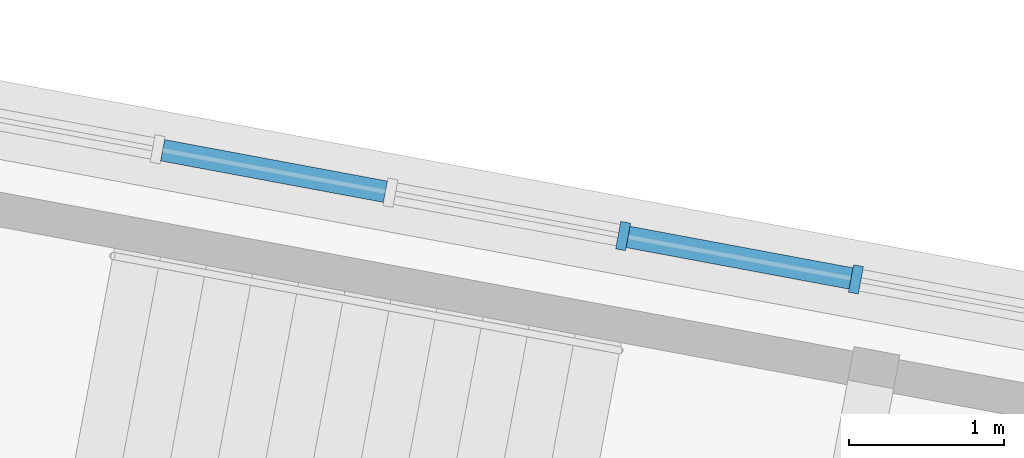
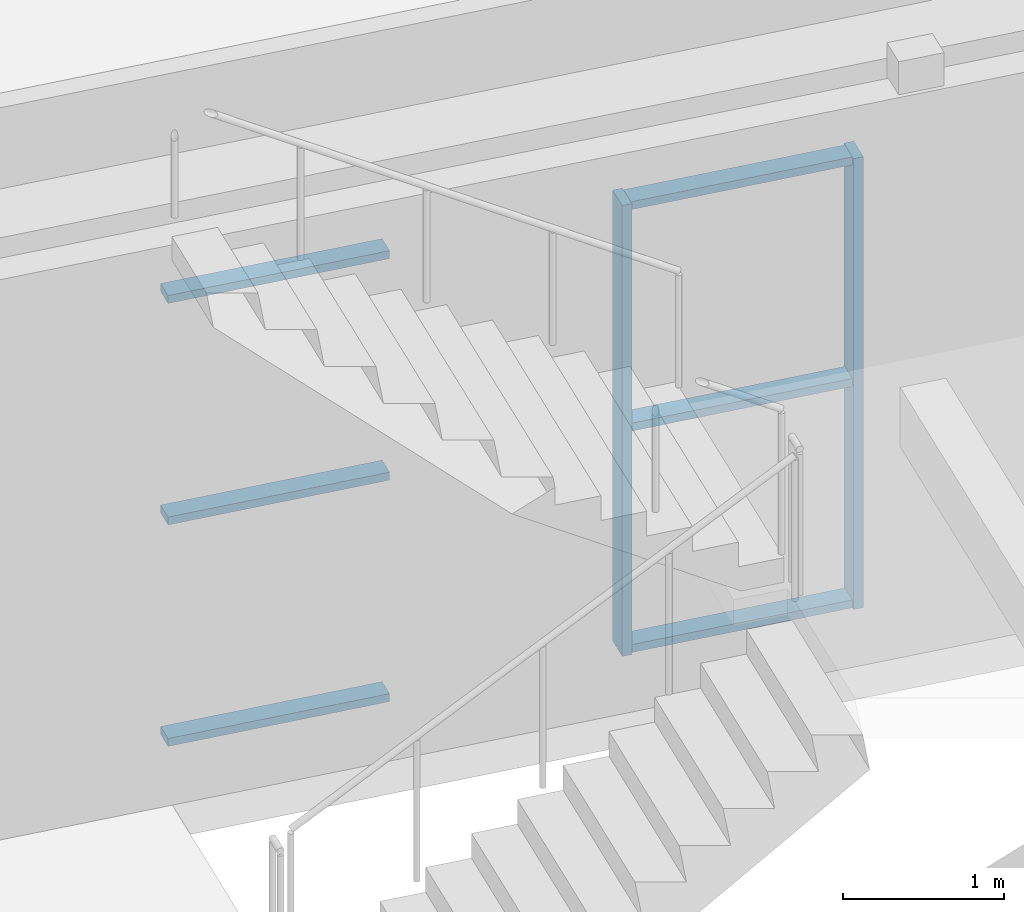
# One storey, part 62 of 141: 8 members, 1 element without a shape of its own.
"""IFC4 building model written with IfcOpenShell, lengths in metres."""

from ifc_helpers import new_model, si_unit, direction, frame, origin, origin_2d, place, context, subcontext, project, spatial, rectangle, extrude, material, layer, layer_set, material_profile, profile_set, type_object, element, aggregate, save


model = new_model("IFC4")

# Units and contexts
model_context = context("Model", 3, precision=1e-05, world=origin(), true_north=direction((0.0, 1.0)))
body_context = subcontext(model_context, "Body", "Model", "MODEL_VIEW")
ifc_project = project(units=[si_unit("LENGTHUNIT", "METRE"), si_unit("AREAUNIT", "SQUARE_METRE"), si_unit("VOLUMEUNIT", "CUBIC_METRE"), si_unit("PLANEANGLEUNIT", "RADIAN"), si_unit("MASSUNIT", "GRAM", prefix="KILO")], contexts=[model_context])

# Site, building, storey
site_placement = place(None, origin())
site = spatial("IfcSite", under=ifc_project, at=site_placement, CompositionType="ELEMENT")
building_placement = place(site_placement, origin())
building = spatial("IfcBuilding", under=site, at=building_placement, Name="Mphavela Belvedere Stadium", CompositionType="ELEMENT")
storey_placement = place(building_placement, frame((0.0, 0.0, 14.699951171875)))
storey = spatial("IfcBuildingStorey", under=building, at=storey_placement, Name="L03", CompositionType="ELEMENT", Elevation=14.699951171875)

# Curtain wall, members
ifc_material_1 = material(Name="Anodised bronze unitised curtain wall framing")
ifc_layer = layer(ifc_material_1, 0.18505859375)
ifc_layer_set = layer_set([ifc_layer], Name="Anodised bronze unitised curtain wall framing")
curtain_wall_type = type_object("IfcCurtainWallType", Name="CW-UNIT-02", PredefinedType="USERDEFINED", material=ifc_layer_set)
curtain_wall_placement = place(storey_placement, origin())
curtain_wall = element("IfcCurtainWall", 1, at=curtain_wall_placement, inside=storey, type_object=curtain_wall_type, Name="Belvedere colonnade curtain wall L03-10", ObjectType="UNITISED CURTAIN WALL", PredefinedType="USERDEFINED")
ifc_material_2 = material(Name="Anodised bronze extruded aluminium", Category="aluminium")
ifc_material_profile_1 = material_profile(ifc_material_2, rectangle(XDim=0.179931640625, YDim=0.06494140625, at=origin_2d()), Name="CW-MUL 180x65")
ifc_profile_set_1 = profile_set([ifc_material_profile_1], Name="Anodised bronze extruded aluminium")
member_type_1 = type_object("IfcMemberType", Name="CWM-180x65", PredefinedType="MULLION", material=ifc_profile_set_1)
member_1_placement = place(storey_placement, frame((159.936279296875, 157.302978515625, 0.0), z_axis=(0.0, 0.0, 1.0), x_axis=(-0.18308790129, -0.983096546836, 0.0)))
member_1 = element("IfcMember", 2, at=member_1_placement, type_object=member_type_1, Name="CW-02 mullion 4", PredefinedType="MULLION", context=body_context, shape_type="SweptSolid", body=[
    extrude(rectangle(XDim=0.179931640625, YDim=0.06494140625, at=origin_2d()), origin(), (0.0, 0.0, 1.0), 3.420166015625),
])
member_2_placement = place(storey_placement, frame((158.43701171875, 157.58203125, 0.0), z_axis=(0.0, 0.0, 1.0), x_axis=(-0.18308790129, -0.983096546836, 0.0)))
member_2 = element("IfcMember", 3, at=member_2_placement, type_object=member_type_1, Name="CW-02 mullion 5", PredefinedType="MULLION", context=body_context, shape_type="SweptSolid", body=[
    extrude(rectangle(XDim=0.179931640625, YDim=0.06494140625, at=origin_2d()), origin(), (0.0, 0.0, 1.0), 3.420166015625),
])
ifc_material_3 = material(Name="Anodised bronze extruded aluminium", Category="aluminium")
ifc_material_profile_2 = material_profile(ifc_material_3, rectangle(XDim=0.139892578125, YDim=0.06005859375, at=origin_2d()), Name="CW-TRN 140x60")
ifc_profile_set_2 = profile_set([ifc_material_profile_2], Name="Anodised bronze extruded aluminium")
member_type_2 = type_object("IfcMemberType", Name="CWT-140x60", PredefinedType="USERDEFINED", material=ifc_profile_set_2)
member_3_placement = place(storey_placement, frame((159.904541015625, 157.308837890625, 0.030029296875), z_axis=(-0.983098571421, 0.183077029882, 0.0), x_axis=(-0.183077029882, -0.983098571421, 0.0)))
member_3 = element("IfcMember", 4, at=member_3_placement, type_object=member_type_2, Name="CW-02 transom 4.1", ObjectType="TRANSOM", PredefinedType="USERDEFINED", context=body_context, shape_type="SweptSolid", body=[
    extrude(rectangle(XDim=0.139892578125, YDim=0.06005859375, at=origin_2d()), origin(), (0.0, 0.0, 1.0), 1.460205078125),
])
member_4_placement = place(storey_placement, frame((159.904541015625, 157.308837890625, 1.7099609375), z_axis=(-0.983098571421, 0.183077029882, 0.0), x_axis=(-0.183077029882, -0.983098571421, 0.0)))
member_4 = element("IfcMember", 5, at=member_4_placement, type_object=member_type_2, Name="CW-02 transom 4.2", ObjectType="TRANSOM", PredefinedType="USERDEFINED", context=body_context, shape_type="SweptSolid", body=[
    extrude(rectangle(XDim=0.139892578125, YDim=0.06005859375, at=origin_2d()), origin(), (0.0, 0.0, 1.0), 1.460205078125),
])
member_5_placement = place(storey_placement, frame((159.904541015625, 157.308837890625, 3.39013671875), z_axis=(-0.983098571421, 0.183077029882, 0.0), x_axis=(-0.183077029882, -0.983098571421, 0.0)))
member_5 = element("IfcMember", 6, at=member_5_placement, type_object=member_type_2, Name="CW-02 transom 4.3", ObjectType="TRANSOM", PredefinedType="USERDEFINED", context=body_context, shape_type="SweptSolid", body=[
    extrude(rectangle(XDim=0.139892578125, YDim=0.06005859375, at=origin_2d()), origin(), (0.0, 0.0, 1.0), 1.460205078125),
])
member_6_placement = place(storey_placement, frame((156.90576171875, 157.867431640625, 0.030029296875), z_axis=(-0.983098571421, 0.183077029882, 0.0), x_axis=(-0.183077029882, -0.983098571421, 0.0)))
member_6 = element("IfcMember", 7, at=member_6_placement, type_object=member_type_2, Name="CW-02 transom 6.1", ObjectType="TRANSOM", PredefinedType="USERDEFINED", context=body_context, shape_type="SweptSolid", body=[
    extrude(rectangle(XDim=0.139892578125, YDim=0.06005859375, at=origin_2d()), origin(), (0.0, 0.0, 1.0), 1.460205078125),
])
member_7_placement = place(storey_placement, frame((156.90576171875, 157.867431640625, 1.7099609375), z_axis=(-0.983098571421, 0.183077029882, 0.0), x_axis=(-0.183077029882, -0.983098571421, 0.0)))
member_7 = element("IfcMember", 8, at=member_7_placement, type_object=member_type_2, Name="CW-02 transom 6.2", ObjectType="TRANSOM", PredefinedType="USERDEFINED", context=body_context, shape_type="SweptSolid", body=[
    extrude(rectangle(XDim=0.139892578125, YDim=0.06005859375, at=origin_2d()), origin(), (0.0, 0.0, 1.0), 1.460205078125),
])
member_8_placement = place(storey_placement, frame((156.90576171875, 157.867431640625, 3.39013671875), z_axis=(-0.983098571421, 0.183077029882, 0.0), x_axis=(-0.183077029882, -0.983098571421, 0.0)))
member_8 = element("IfcMember", 9, at=member_8_placement, type_object=member_type_2, Name="CW-02 transom 6.3", ObjectType="TRANSOM", PredefinedType="USERDEFINED", context=body_context, shape_type="SweptSolid", body=[
    extrude(rectangle(XDim=0.139892578125, YDim=0.06005859375, at=origin_2d()), origin(), (0.0, 0.0, 1.0), 1.460205078125),
])
aggregate(curtain_wall, [member_1, member_2, member_3, member_4, member_5, member_6, member_7, member_8])

save(model, "model.ifc")
